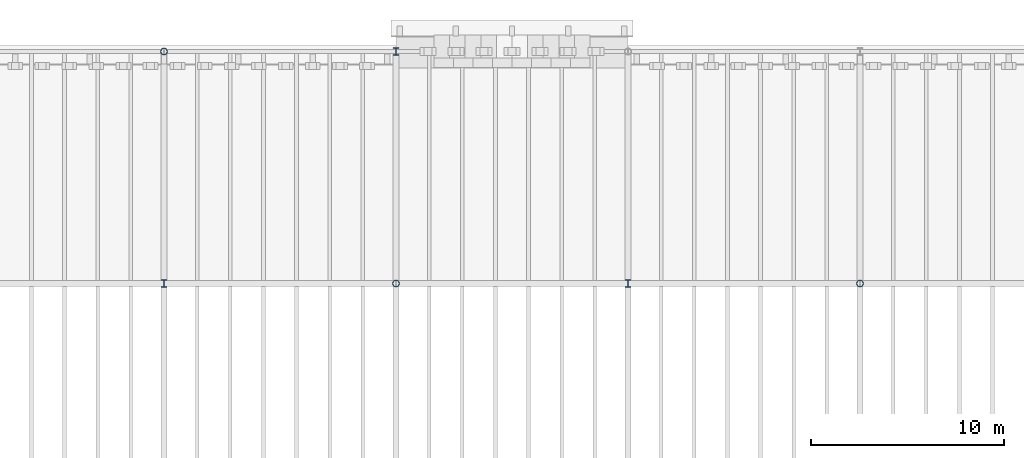
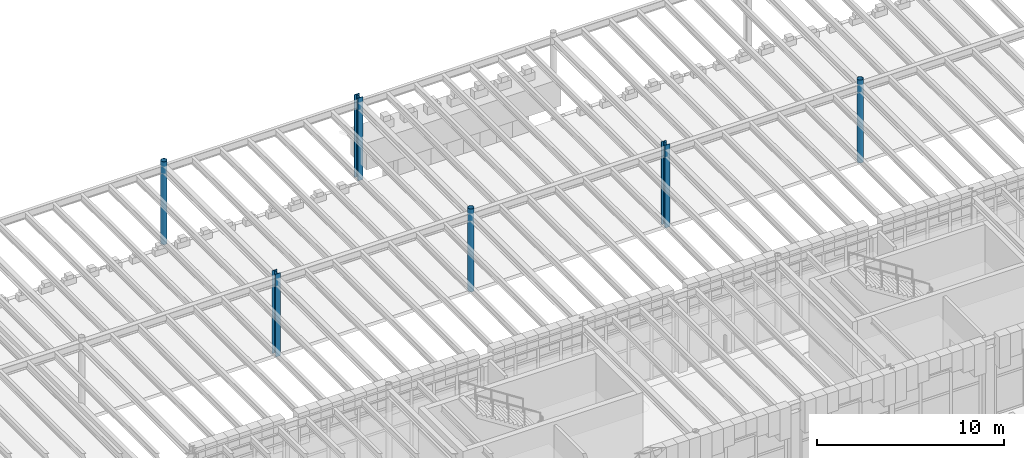
# One storey, part 10 of 100: 6 columns.
"""IFC4 building model written with IfcOpenShell, lengths in metres."""

from ifc_helpers import new_model, si_unit, direction, frame, origin, origin_2d, place, context, subcontext, project, spatial, hollow_circle, i_section, extrude, material, material_profile, profile_set, type_object, element, save


model = new_model("IFC4")

# Units and contexts
model_context = context("Model", 3, precision=1e-05, world=origin(), true_north=direction((0.0, 1.0)))
body_context = subcontext(model_context, "Body", "Model", "MODEL_VIEW")
ifc_project = project(units=[si_unit("LENGTHUNIT", "METRE"), si_unit("AREAUNIT", "SQUARE_METRE"), si_unit("VOLUMEUNIT", "CUBIC_METRE"), si_unit("PLANEANGLEUNIT", "RADIAN"), si_unit("MASSUNIT", "GRAM", prefix="KILO")], contexts=[model_context])

# Site, building, storey
site_placement = place(None, origin())
site = spatial("IfcSite", under=ifc_project, at=site_placement, CompositionType="ELEMENT")
building_placement = place(site_placement, origin())
building = spatial("IfcBuilding", under=site, at=building_placement, Name="Zlatogorsky Bluff Art Gallery", CompositionType="ELEMENT")
storey_placement = place(building_placement, frame((0.0, 0.0, 5.39990234375)))
storey = spatial("IfcBuildingStorey", under=building, at=storey_placement, Name="L01", CompositionType="ELEMENT", Elevation=5.39990234375)

# Columns
ifc_material = material(Name="Steel S355", Category="steel")
ifc_material_profile_1 = material_profile(ifc_material, i_section(OverallWidth=0.300048828125, OverallDepth=0.39990234375, WebThickness=0.013427734375, FlangeThickness=0.02392578125, FilletRadius=0.027099609375, at=origin_2d()), Name="HEB 400")
ifc_profile_set_1 = profile_set([ifc_material_profile_1], Name="Steel S355")
column_type_1 = type_object("IfcColumnType", Name="Column CL-04 HEB 400", PredefinedType="COLUMN", material=ifc_profile_set_1)
for number, where, z_axis, x_axis, name in (
    (1, (72.0, 108.0, 0.0), (0.0, 0.0, 1.0), (1.0, 0.0, 0.0), "Column CL-04 L01 G11"),
    (2, (84.0, 120.0, 0.0), (0.0, 0.0, 1.0), (1.0, 0.0, 0.0), "Column CL-04 L01 H12"),
    (3, (96.0, 108.0, 0.0), (0.0, 0.0, 1.0), (1.0, 0.0, 0.0), "Column CL-04 L01 J11"),
):
    element("IfcColumn", number, at=place(storey_placement, frame(where, z_axis=z_axis, x_axis=x_axis)), inside=storey, type_object=column_type_1, Name=name, PredefinedType="COLUMN", context=body_context, shape_type="SweptSolid", body=[
        extrude(i_section(OverallWidth=0.300048828125, OverallDepth=0.39990234375, WebThickness=0.013427734375, FlangeThickness=0.02392578125, FilletRadius=0.027099609375, at=origin_2d()), origin(), (0.0, 0.0, 1.0), 5.400146484375),
    ])
ifc_material_profile_2 = material_profile(ifc_material, hollow_circle(Radius=0.177734375, WallThickness=0.01611328125, at=origin_2d()), Name="CHS 355.6x16")
ifc_profile_set_2 = profile_set([ifc_material_profile_2], Name="Steel S355")
column_type_2 = type_object("IfcColumnType", Name="Column CL-10 CHS 355.6x16", PredefinedType="COLUMN", material=ifc_profile_set_2)
for number, where, z_axis, x_axis, name in (
    (4, (72.0, 120.0, 0.0), (0.0, 0.0, 1.0), (1.0, 0.0, 0.0), "Column CL-10 L01 G12"),
    (5, (84.0, 108.0, 0.0), (0.0, 0.0, 1.0), (1.0, 0.0, 0.0), "Column CL-10 L01 H11"),
    (6, (108.0, 108.0, 0.0), (0.0, 0.0, 1.0), (1.0, 0.0, 0.0), "Column CL-10 L01 K11"),
):
    element("IfcColumn", number, at=place(storey_placement, frame(where, z_axis=z_axis, x_axis=x_axis)), inside=storey, type_object=column_type_2, Name=name, PredefinedType="COLUMN", context=body_context, shape_type="SweptSolid", body=[
        extrude(hollow_circle(Radius=0.177734375, WallThickness=0.01611328125, at=origin_2d()), origin(), (0.0, 0.0, 1.0), 5.400146484375),
    ])

save(model, "model.ifc")
